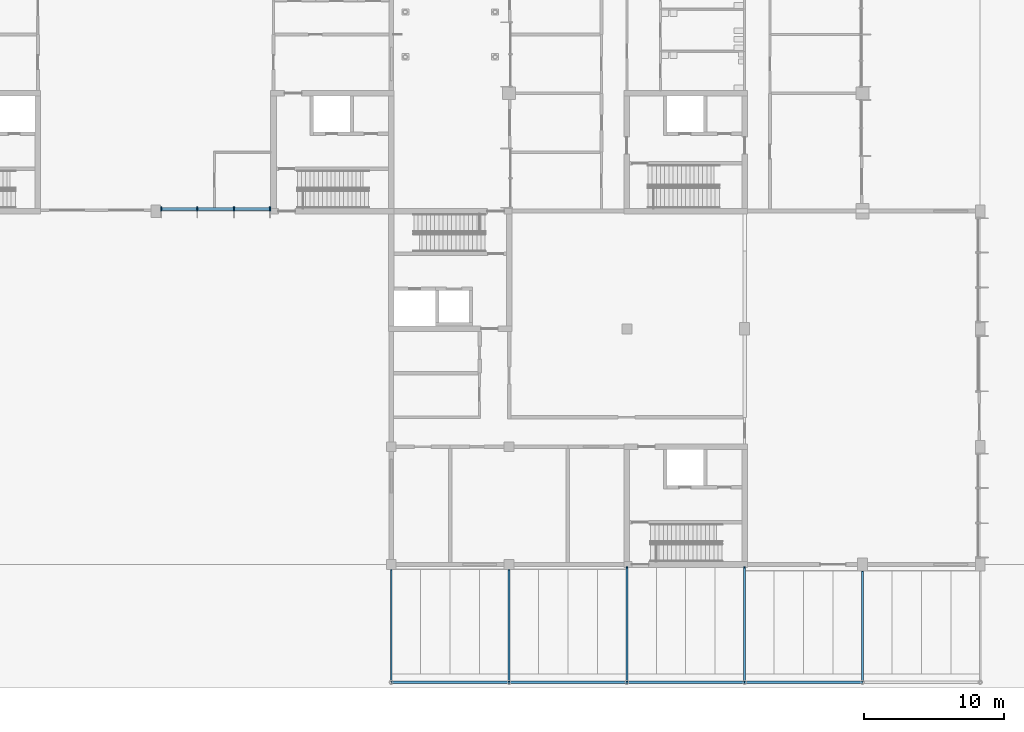
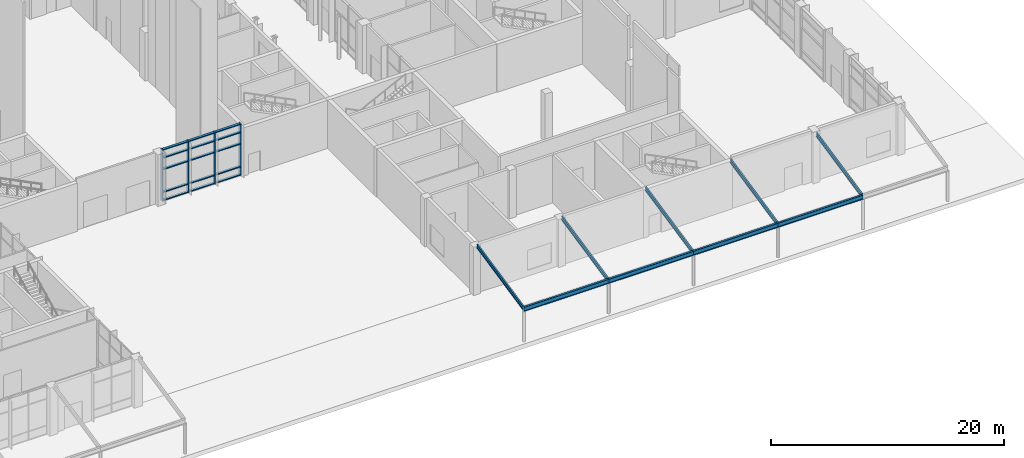
# One storey, part 18 of 76: 19 members, 9 beams, 1 element without a shape of its own.
"""IFC4 building model written with IfcOpenShell, lengths in metres."""

from ifc_helpers import new_model, si_unit, direction, frame, origin, origin_2d, place, context, subcontext, project, spatial, rectangle, i_section, extrude, material, material_profile, profile_set, type_object, element, aggregate, save


model = new_model("IFC4")

# Units and contexts
model_context = context("Model", 3, precision=1e-05, world=origin(), true_north=direction((0.0, 1.0)))
body_context = subcontext(model_context, "Body", "Model", "MODEL_VIEW")
ifc_project = project(units=[si_unit("LENGTHUNIT", "METRE"), si_unit("AREAUNIT", "SQUARE_METRE"), si_unit("VOLUMEUNIT", "CUBIC_METRE"), si_unit("PLANEANGLEUNIT", "RADIAN"), si_unit("MASSUNIT", "GRAM", prefix="KILO")], contexts=[model_context])

# Site, building, storey
site_placement = place(None, origin())
site = spatial("IfcSite", under=ifc_project, at=site_placement, CompositionType="ELEMENT")
building_placement = place(site_placement, origin())
building = spatial("IfcBuilding", under=site, at=building_placement, Name="Hlaing Beacon Police Headquarters", CompositionType="ELEMENT")
storey_placement = place(building_placement, origin())
storey = spatial("IfcBuildingStorey", under=building, at=storey_placement, Name="L00", CompositionType="ELEMENT", Elevation=0.0)

# Beams
ifc_material_1 = material(Name="Steel ASTM A992 Grade 50", Category="steel")
ifc_material_profile_1 = material_profile(ifc_material_1, i_section(OverallWidth=0.1904296875, OverallDepth=0.457275390625, WebThickness=0.009033203125, FlangeThickness=0.014404296875, FilletRadius=0.01025390625, at=origin_2d()), Name="W18x50")
ifc_profile_set_1 = profile_set([ifc_material_profile_1], Name="Steel ASTM A992 Grade 50")
beam_type_1 = type_object("IfcBeamType", Name="Colonnade head beam W18x50", PredefinedType="BEAM", material=ifc_profile_set_1)
beam_1_placement = place(storey_placement, frame((92.39990234375, 0.0, 3.371337890625), z_axis=(1.0, 0.0, 0.0), x_axis=(0.0, 1.0, 0.0)))
element("IfcBeam", 1, at=beam_1_placement, inside=storey, type_object=beam_type_1, Name="STR-CL-CL2-HB01", PredefinedType="BEAM", context=body_context, shape_type="SweptSolid", body=[
    extrude(i_section(OverallWidth=0.1904296875, OverallDepth=0.457275390625, WebThickness=0.009033203125, FlangeThickness=0.014404296875, FilletRadius=0.01025390625, at=origin_2d()), origin(), (0.0, 0.0, 1.0), 8.400146484375),
])
beam_2_placement = place(storey_placement, frame((100.800048828125, 0.0, 3.371337890625), z_axis=(1.0, 0.0, 0.0), x_axis=(0.0, 1.0, 0.0)))
element("IfcBeam", 2, at=beam_2_placement, inside=storey, type_object=beam_type_1, Name="STR-CL-CL2-HB02", PredefinedType="BEAM", context=body_context, shape_type="SweptSolid", body=[
    extrude(i_section(OverallWidth=0.1904296875, OverallDepth=0.457275390625, WebThickness=0.009033203125, FlangeThickness=0.014404296875, FilletRadius=0.01025390625, at=origin_2d()), origin(), (0.0, 0.0, 1.0), 8.39990234375),
])
beam_3_placement = place(storey_placement, frame((109.199951171875, 0.0, 3.371337890625), z_axis=(1.0, 0.0, 0.0), x_axis=(0.0, 1.0, 0.0)))
element("IfcBeam", 3, at=beam_3_placement, inside=storey, type_object=beam_type_1, Name="STR-CL-CL2-HB03", PredefinedType="BEAM", context=body_context, shape_type="SweptSolid", body=[
    extrude(i_section(OverallWidth=0.1904296875, OverallDepth=0.457275390625, WebThickness=0.009033203125, FlangeThickness=0.014404296875, FilletRadius=0.01025390625, at=origin_2d()), origin(), (0.0, 0.0, 1.0), 8.400146484375),
])
beam_4_placement = place(storey_placement, frame((117.60009765625, 0.0, 3.371337890625), z_axis=(1.0, 0.0, 0.0), x_axis=(0.0, 1.0, 0.0)))
element("IfcBeam", 4, at=beam_4_placement, inside=storey, type_object=beam_type_1, Name="STR-CL-CL2-HB04", PredefinedType="BEAM", context=body_context, shape_type="SweptSolid", body=[
    extrude(i_section(OverallWidth=0.1904296875, OverallDepth=0.457275390625, WebThickness=0.009033203125, FlangeThickness=0.014404296875, FilletRadius=0.01025390625, at=origin_2d()), origin(), (0.0, 0.0, 1.0), 8.39990234375),
])
ifc_material_2 = material(Name="Steel ASTM A992 Grade 50", Category="steel")
ifc_material_profile_2 = material_profile(ifc_material_2, i_section(OverallWidth=0.140380859375, OverallDepth=0.40380859375, WebThickness=0.007080078125, FlangeThickness=0.01123046875, FilletRadius=0.01025390625, at=origin_2d()), Name="W16x31")
ifc_profile_set_2 = profile_set([ifc_material_profile_2], Name="Steel ASTM A992 Grade 50")
beam_type_2 = type_object("IfcBeamType", Name="Colonnade rafter W16x31", PredefinedType="BEAM", material=ifc_profile_set_2)
for number, where, z_axis, x_axis, name in (
    (5, (92.39990234375, 0.09521484375, 3.413818359375), (0.0, 0.97780285324, 0.209527039294), (-1.0, 0.0, 0.0), "STR-CL-CL2-RF01"),
    (6, (100.800048828125, 0.09521484375, 3.413818359375), (0.0, 0.97780285324, 0.209527039294), (-1.0, 0.0, 0.0), "STR-CL-CL2-RF02"),
):
    element("IfcBeam", number, at=place(storey_placement, frame(where, z_axis=z_axis, x_axis=x_axis)), inside=storey, type_object=beam_type_2, Name=name, PredefinedType="BEAM", context=body_context, shape_type="SweptSolid", body=[
        extrude(i_section(OverallWidth=0.140380859375, OverallDepth=0.40380859375, WebThickness=0.007080078125, FlangeThickness=0.01123046875, FilletRadius=0.01025390625, at=origin_2d()), origin(), (0.0, 0.0, 1.0), 8.135498046875),
    ])
for number, where, z_axis, x_axis, name in (
    (7, (109.199951171875, 0.09521484375, 3.413818359375), (0.0, 0.97780025882, 0.209539146346), (-1.0, 0.0, 0.0), "STR-CL-CL2-RF03"),
    (8, (117.60009765625, 0.09521484375, 3.413818359375), (0.0, 0.97780025882, 0.209539146346), (-1.0, 0.0, 0.0), "STR-CL-CL2-RF04"),
):
    element("IfcBeam", number, at=place(storey_placement, frame(where, z_axis=z_axis, x_axis=x_axis)), inside=storey, type_object=beam_type_2, Name=name, PredefinedType="BEAM", context=body_context, shape_type="SweptSolid", body=[
        extrude(i_section(OverallWidth=0.140380859375, OverallDepth=0.40380859375, WebThickness=0.007080078125, FlangeThickness=0.01123046875, FilletRadius=0.01025390625, at=origin_2d()), origin(), (0.0, 0.0, 1.0), 8.288818359375),
    ])
beam_5_placement = place(storey_placement, frame((126.0, 0.09521484375, 3.413818359375), z_axis=(0.0, 0.977797521462, 0.209551919637), x_axis=(-1.0, 0.0, 0.0)))
element("IfcBeam", 9, at=beam_5_placement, inside=storey, type_object=beam_type_2, Name="STR-CL-CL2-RF05", PredefinedType="BEAM", context=body_context, shape_type="SweptSolid", body=[
    extrude(i_section(OverallWidth=0.140380859375, OverallDepth=0.40380859375, WebThickness=0.007080078125, FlangeThickness=0.01123046875, FilletRadius=0.01025390625, at=origin_2d()), origin(), (0.0, 0.0, 1.0), 8.033203125),
])

# Curtain wall, members
ifc_material_3 = material(Name="Aluminium frame with solar control glazing", Category="aluminium")
curtain_wall_type = type_object("IfcCurtainWallType", Name="Structural glazed gable wall 7.85 x 5.40", PredefinedType="NOTDEFINED", material=ifc_material_3)
curtain_wall_placement = place(storey_placement, origin())
curtain_wall = element("IfcCurtainWall", 10, at=curtain_wall_placement, inside=storey, type_object=curtain_wall_type, Name="ENV-CW-L00-S022", PredefinedType="NOTDEFINED")
ifc_material_4 = material(Name="Aluminium", Category="aluminium")
ifc_material_profile_3 = material_profile(ifc_material_4, rectangle(XDim=0.35009765625, YDim=0.10009765625, at=origin_2d()), Name="Mullion 100x350")
ifc_profile_set_3 = profile_set([ifc_material_profile_3], Name="Aluminium")
member_type_1 = type_object("IfcMemberType", Name="Mullion 100x350", PredefinedType="MULLION", material=ifc_profile_set_3)
member_1_placement = place(storey_placement, frame((76.0, 33.75, 0.0), z_axis=(0.0, 0.0, 1.0), x_axis=(0.0, 1.0, 0.0)))
member_1 = element("IfcMember", 11, at=member_1_placement, type_object=member_type_1, Name="CW-L00-S022 mullion 1", PredefinedType="MULLION", context=body_context, shape_type="SweptSolid", body=[
    extrude(rectangle(XDim=0.35009765625, YDim=0.10009765625, at=origin_2d()), origin(), (0.0, 0.0, 1.0), 5.39990234375),
])
member_2_placement = place(storey_placement, frame((78.566650390625, 33.75, 0.0), z_axis=(0.0, 0.0, 1.0), x_axis=(0.0, 1.0, 0.0)))
member_2 = element("IfcMember", 12, at=member_2_placement, type_object=member_type_1, Name="CW-L00-S022 mullion 2", PredefinedType="MULLION", context=body_context, shape_type="SweptSolid", body=[
    extrude(rectangle(XDim=0.35009765625, YDim=0.10009765625, at=origin_2d()), origin(), (0.0, 0.0, 1.0), 5.39990234375),
])
member_3_placement = place(storey_placement, frame((81.183349609375, 33.75, 0.0), z_axis=(0.0, 0.0, 1.0), x_axis=(0.0, 1.0, 0.0)))
member_3 = element("IfcMember", 13, at=member_3_placement, type_object=member_type_1, Name="CW-L00-S022 mullion 3", PredefinedType="MULLION", context=body_context, shape_type="SweptSolid", body=[
    extrude(rectangle(XDim=0.35009765625, YDim=0.10009765625, at=origin_2d()), origin(), (0.0, 0.0, 1.0), 5.39990234375),
])
member_4_placement = place(storey_placement, frame((83.75, 33.75, 0.0), z_axis=(0.0, 0.0, 1.0), x_axis=(0.0, 1.0, 0.0)))
member_4 = element("IfcMember", 14, at=member_4_placement, type_object=member_type_1, Name="CW-L00-S022 mullion 4", PredefinedType="MULLION", context=body_context, shape_type="SweptSolid", body=[
    extrude(rectangle(XDim=0.35009765625, YDim=0.10009765625, at=origin_2d()), origin(), (0.0, 0.0, 1.0), 5.39990234375),
])
ifc_material_5 = material(Name="Aluminium", Category="aluminium")
ifc_material_profile_4 = material_profile(ifc_material_5, rectangle(XDim=0.239990234375, YDim=0.10009765625, at=origin_2d()), Name="Transom 240x100")
ifc_profile_set_4 = profile_set([ifc_material_profile_4], Name="Aluminium")
member_type_2 = type_object("IfcMemberType", Name="Transom 240x100", PredefinedType="USERDEFINED", material=ifc_profile_set_4)
member_5_placement = place(storey_placement, frame((76.050048828125, 33.75, 0.050048828125), z_axis=(1.0, 0.0, 0.0), x_axis=(0.0, 1.0, 0.0)))
member_5 = element("IfcMember", 15, at=member_5_placement, type_object=member_type_2, Name="CW-L00-S022 transom 1.1", ObjectType="TRANSOM", PredefinedType="USERDEFINED", context=body_context, shape_type="SweptSolid", body=[
    extrude(rectangle(XDim=0.239990234375, YDim=0.10009765625, at=origin_2d()), origin(), (0.0, 0.0, 1.0), 2.466552734375),
])
member_6_placement = place(storey_placement, frame((76.050048828125, 33.75, 0.89990234375), z_axis=(1.0, 0.0, 0.0), x_axis=(0.0, 1.0, 0.0)))
member_6 = element("IfcMember", 16, at=member_6_placement, type_object=member_type_2, Name="CW-L00-S022 transom 1.2", ObjectType="TRANSOM", PredefinedType="USERDEFINED", context=body_context, shape_type="SweptSolid", body=[
    extrude(rectangle(XDim=0.239990234375, YDim=0.10009765625, at=origin_2d()), origin(), (0.0, 0.0, 1.0), 2.466552734375),
])
member_7_placement = place(storey_placement, frame((76.050048828125, 33.75, 3.300048828125), z_axis=(1.0, 0.0, 0.0), x_axis=(0.0, 1.0, 0.0)))
member_7 = element("IfcMember", 17, at=member_7_placement, type_object=member_type_2, Name="CW-L00-S022 transom 1.3", ObjectType="TRANSOM", PredefinedType="USERDEFINED", context=body_context, shape_type="SweptSolid", body=[
    extrude(rectangle(XDim=0.239990234375, YDim=0.10009765625, at=origin_2d()), origin(), (0.0, 0.0, 1.0), 2.466552734375),
])
member_8_placement = place(storey_placement, frame((76.050048828125, 33.75, 4.5), z_axis=(1.0, 0.0, 0.0), x_axis=(0.0, 1.0, 0.0)))
member_8 = element("IfcMember", 18, at=member_8_placement, type_object=member_type_2, Name="CW-L00-S022 transom 1.4", ObjectType="TRANSOM", PredefinedType="USERDEFINED", context=body_context, shape_type="SweptSolid", body=[
    extrude(rectangle(XDim=0.239990234375, YDim=0.10009765625, at=origin_2d()), origin(), (0.0, 0.0, 1.0), 2.466552734375),
])
member_9_placement = place(storey_placement, frame((76.050048828125, 33.75, 5.35009765625), z_axis=(1.0, 0.0, 0.0), x_axis=(0.0, 1.0, 0.0)))
member_9 = element("IfcMember", 19, at=member_9_placement, type_object=member_type_2, Name="CW-L00-S022 transom 1.5", ObjectType="TRANSOM", PredefinedType="USERDEFINED", context=body_context, shape_type="SweptSolid", body=[
    extrude(rectangle(XDim=0.239990234375, YDim=0.10009765625, at=origin_2d()), origin(), (0.0, 0.0, 1.0), 2.466552734375),
])
member_10_placement = place(storey_placement, frame((78.61669921875, 33.75, 0.050048828125), z_axis=(1.0, 0.0, 0.0), x_axis=(0.0, 1.0, 0.0)))
member_10 = element("IfcMember", 20, at=member_10_placement, type_object=member_type_2, Name="CW-L00-S022 transom 2.1", ObjectType="TRANSOM", PredefinedType="USERDEFINED", context=body_context, shape_type="SweptSolid", body=[
    extrude(rectangle(XDim=0.239990234375, YDim=0.10009765625, at=origin_2d()), origin(), (0.0, 0.0, 1.0), 2.5166015625),
])
member_11_placement = place(storey_placement, frame((78.61669921875, 33.75, 0.89990234375), z_axis=(1.0, 0.0, 0.0), x_axis=(0.0, 1.0, 0.0)))
member_11 = element("IfcMember", 21, at=member_11_placement, type_object=member_type_2, Name="CW-L00-S022 transom 2.2", ObjectType="TRANSOM", PredefinedType="USERDEFINED", context=body_context, shape_type="SweptSolid", body=[
    extrude(rectangle(XDim=0.239990234375, YDim=0.10009765625, at=origin_2d()), origin(), (0.0, 0.0, 1.0), 2.5166015625),
])
member_12_placement = place(storey_placement, frame((78.61669921875, 33.75, 3.300048828125), z_axis=(1.0, 0.0, 0.0), x_axis=(0.0, 1.0, 0.0)))
member_12 = element("IfcMember", 22, at=member_12_placement, type_object=member_type_2, Name="CW-L00-S022 transom 2.3", ObjectType="TRANSOM", PredefinedType="USERDEFINED", context=body_context, shape_type="SweptSolid", body=[
    extrude(rectangle(XDim=0.239990234375, YDim=0.10009765625, at=origin_2d()), origin(), (0.0, 0.0, 1.0), 2.5166015625),
])
member_13_placement = place(storey_placement, frame((78.61669921875, 33.75, 4.5), z_axis=(1.0, 0.0, 0.0), x_axis=(0.0, 1.0, 0.0)))
member_13 = element("IfcMember", 23, at=member_13_placement, type_object=member_type_2, Name="CW-L00-S022 transom 2.4", ObjectType="TRANSOM", PredefinedType="USERDEFINED", context=body_context, shape_type="SweptSolid", body=[
    extrude(rectangle(XDim=0.239990234375, YDim=0.10009765625, at=origin_2d()), origin(), (0.0, 0.0, 1.0), 2.5166015625),
])
member_14_placement = place(storey_placement, frame((78.61669921875, 33.75, 5.35009765625), z_axis=(1.0, 0.0, 0.0), x_axis=(0.0, 1.0, 0.0)))
member_14 = element("IfcMember", 24, at=member_14_placement, type_object=member_type_2, Name="CW-L00-S022 transom 2.5", ObjectType="TRANSOM", PredefinedType="USERDEFINED", context=body_context, shape_type="SweptSolid", body=[
    extrude(rectangle(XDim=0.239990234375, YDim=0.10009765625, at=origin_2d()), origin(), (0.0, 0.0, 1.0), 2.5166015625),
])
member_15_placement = place(storey_placement, frame((81.2333984375, 33.75, 0.050048828125), z_axis=(1.0, 0.0, 0.0), x_axis=(0.0, 1.0, 0.0)))
member_15 = element("IfcMember", 25, at=member_15_placement, type_object=member_type_2, Name="CW-L00-S022 transom 3.1", ObjectType="TRANSOM", PredefinedType="USERDEFINED", context=body_context, shape_type="SweptSolid", body=[
    extrude(rectangle(XDim=0.239990234375, YDim=0.10009765625, at=origin_2d()), origin(), (0.0, 0.0, 1.0), 2.466552734375),
])
member_16_placement = place(storey_placement, frame((81.2333984375, 33.75, 0.89990234375), z_axis=(1.0, 0.0, 0.0), x_axis=(0.0, 1.0, 0.0)))
member_16 = element("IfcMember", 26, at=member_16_placement, type_object=member_type_2, Name="CW-L00-S022 transom 3.2", ObjectType="TRANSOM", PredefinedType="USERDEFINED", context=body_context, shape_type="SweptSolid", body=[
    extrude(rectangle(XDim=0.239990234375, YDim=0.10009765625, at=origin_2d()), origin(), (0.0, 0.0, 1.0), 2.466552734375),
])
member_17_placement = place(storey_placement, frame((81.2333984375, 33.75, 3.300048828125), z_axis=(1.0, 0.0, 0.0), x_axis=(0.0, 1.0, 0.0)))
member_17 = element("IfcMember", 27, at=member_17_placement, type_object=member_type_2, Name="CW-L00-S022 transom 3.3", ObjectType="TRANSOM", PredefinedType="USERDEFINED", context=body_context, shape_type="SweptSolid", body=[
    extrude(rectangle(XDim=0.239990234375, YDim=0.10009765625, at=origin_2d()), origin(), (0.0, 0.0, 1.0), 2.466552734375),
])
member_18_placement = place(storey_placement, frame((81.2333984375, 33.75, 4.5), z_axis=(1.0, 0.0, 0.0), x_axis=(0.0, 1.0, 0.0)))
member_18 = element("IfcMember", 28, at=member_18_placement, type_object=member_type_2, Name="CW-L00-S022 transom 3.4", ObjectType="TRANSOM", PredefinedType="USERDEFINED", context=body_context, shape_type="SweptSolid", body=[
    extrude(rectangle(XDim=0.239990234375, YDim=0.10009765625, at=origin_2d()), origin(), (0.0, 0.0, 1.0), 2.466552734375),
])
member_19_placement = place(storey_placement, frame((81.2333984375, 33.75, 5.35009765625), z_axis=(1.0, 0.0, 0.0), x_axis=(0.0, 1.0, 0.0)))
member_19 = element("IfcMember", 29, at=member_19_placement, type_object=member_type_2, Name="CW-L00-S022 transom 3.5", ObjectType="TRANSOM", PredefinedType="USERDEFINED", context=body_context, shape_type="SweptSolid", body=[
    extrude(rectangle(XDim=0.239990234375, YDim=0.10009765625, at=origin_2d()), origin(), (0.0, 0.0, 1.0), 2.466552734375),
])
aggregate(curtain_wall, [member_1, member_2, member_3, member_4, member_5, member_6, member_7, member_8, member_9, member_10, member_11, member_12, member_13, member_14, member_15, member_16, member_17, member_18, member_19])

save(model, "model.ifc")
